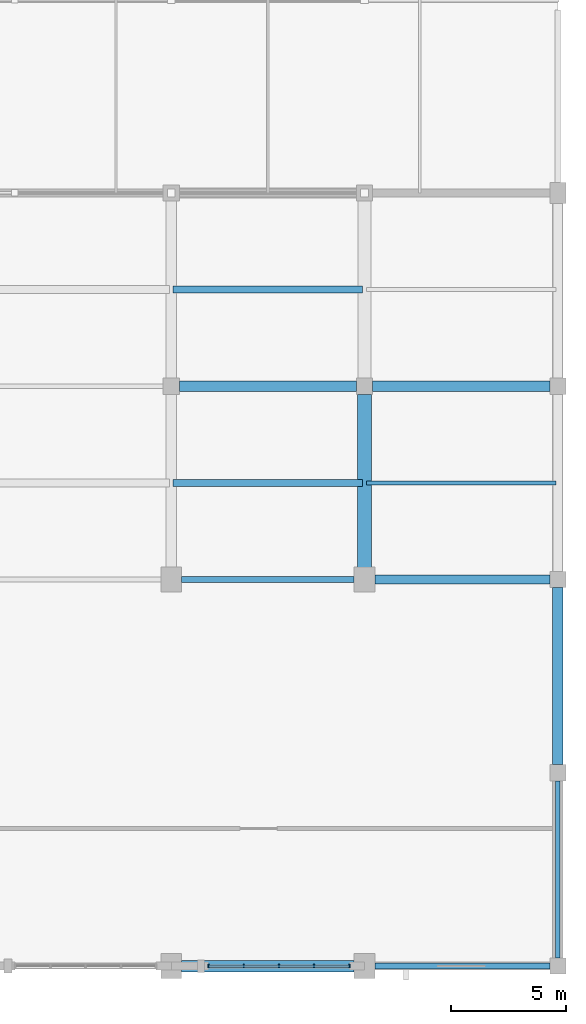
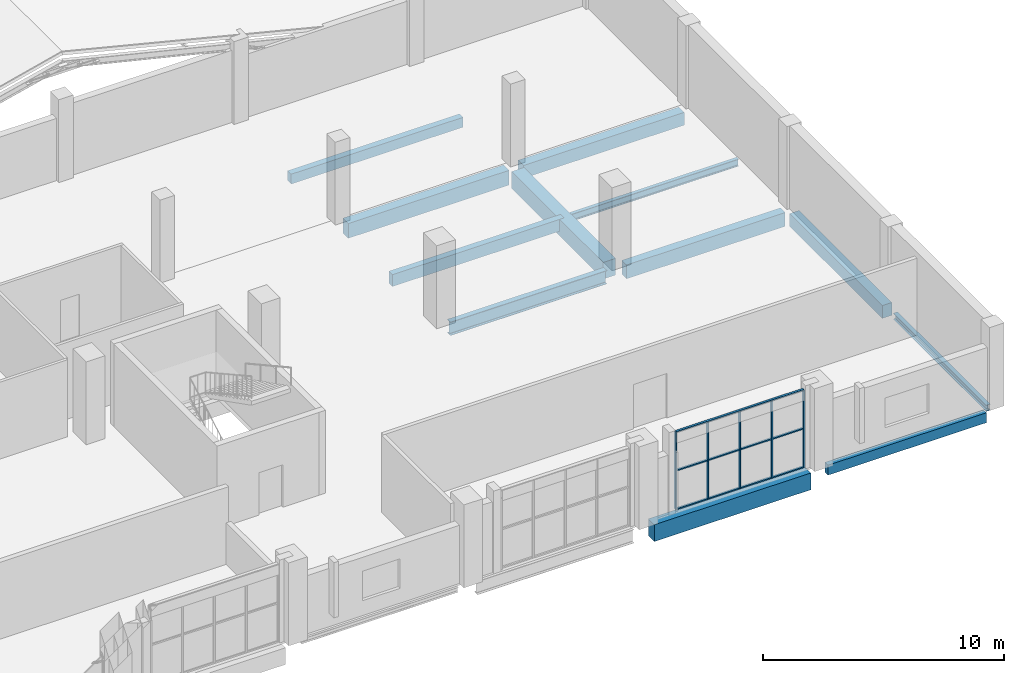
# One storey, part 35 of 64: 12 beams, 8 members, 1 element without a shape of its own.
"""IFC4 building model written with IfcOpenShell, lengths in metres."""

import ifcopenshell
import ifcopenshell.guid

model = None  # the IFC model being written
_history = None  # IfcOwnerHistory: only IFC2X3 demands one
_inside = {}  # id of a spatial element -> (the spatial element, [elements in it])
_under = {}  # id of a project, library or spatial element -> (it, [spatial elements below it])
_declared = {}  # id of a project -> (the project, [libraries it declares])
_typed = {}  # id of a type object -> (the type object, [elements of that type])
_made_of = {}  # id of a material, layer set ... -> (it, [elements and type objects made of it])


def new_model(schema):
    """Start an empty IFC model of exactly this schema.

    Asked for "IFC4X3", IfcOpenShell would pick the latest addendum, in which some entities
    have other attributes; the version numbers below select the first issue.
    IFC2X3 requires an IfcOwnerHistory on every rooted entity: one is made here for all.
    """
    global model, _history
    if schema == "IFC4X3":
        model = ifcopenshell.file(schema_version=(4, 3, 0, 0))
    else:
        model = ifcopenshell.file(schema=schema)
    _inside.clear()
    _under.clear()
    _declared.clear()
    _typed.clear()
    _made_of.clear()
    _history = None
    if model.schema == "IFC2X3":
        org = make("IfcOrganization", Name="unknown")
        user = make(
            "IfcPersonAndOrganization",
            ThePerson=make("IfcPerson", FamilyName="unknown"),
            TheOrganization=org,
        )
        app = make(
            "IfcApplication",
            ApplicationDeveloper=org,
            Version="unknown",
            ApplicationFullName="unknown",
            ApplicationIdentifier="unknown",
        )
        _history = make(
            "IfcOwnerHistory",
            OwningUser=user,
            OwningApplication=app,
            ChangeAction="ADDED",
            CreationDate=0,
        )
    return model


def make(cls, **values):
    """One entity of the class cls with the attributes given. An attribute that is None is left unset."""
    return model.create_entity(
        cls, **{name: value for name, value in values.items() if value is not None}
    )


def rooted(cls, **values):
    """An entity with a GlobalId (a new one), such as an element, a storey or a relation."""
    return make(cls, GlobalId=ifcopenshell.guid.new(), OwnerHistory=_history, **values)


def si_unit(unit_type, name, prefix=None):
    """IfcSIUnit, for example si_unit("LENGTHUNIT", "METRE", prefix="MILLI")."""
    return make("IfcSIUnit", UnitType=unit_type, Prefix=prefix, Name=name)


def derived_unit(unit_type, elements):
    """IfcDerivedUnit: a product of units, each with its exponent."""
    return make(
        "IfcDerivedUnit",
        Elements=[
            make("IfcDerivedUnitElement", Unit=unit, Exponent=power)
            for unit, power in elements
        ],
        UnitType=unit_type,
    )


def assignment(units):
    """IfcUnitAssignment: the units of a project."""
    return None if units is None else make("IfcUnitAssignment", Units=units)


def point(xyz):
    """IfcCartesianPoint."""
    return None if xyz is None else make("IfcCartesianPoint", Coordinates=xyz)


def direction(xyz):
    """IfcDirection."""
    return None if xyz is None else make("IfcDirection", DirectionRatios=xyz)


def frame(location, z_axis=None, x_axis=None):
    """IfcAxis2Placement3D, a coordinate frame: its origin and axes. An axis left out is left unset."""
    return make(
        "IfcAxis2Placement3D",
        Location=point(location),
        Axis=direction(z_axis),
        RefDirection=direction(x_axis),
    )


def frame_2d(location, x_axis=None):
    """IfcAxis2Placement2D, a coordinate frame in the plane: its origin and x axis."""
    return make(
        "IfcAxis2Placement2D", Location=point(location), RefDirection=direction(x_axis)
    )


def origin():
    """The frame at (0, 0, 0) with its axes left unset."""
    return frame((0.0, 0.0, 0.0))


def origin_2d():
    """The frame at (0, 0) in the plane with its x axis left unset."""
    return frame_2d((0.0, 0.0))


def place(relative_to, where):
    """IfcLocalPlacement: puts the frame where relative to a parent placement (None: the world)."""
    return make(
        "IfcLocalPlacement", PlacementRelTo=relative_to, RelativePlacement=where
    )


def context(
    kind, dimensions, precision=None, world=None, true_north=None, identifier=None
):
    """IfcGeometricRepresentationContext, for example the 3D "Model" context."""
    return make(
        "IfcGeometricRepresentationContext",
        ContextIdentifier=identifier,
        ContextType=kind,
        CoordinateSpaceDimension=dimensions,
        Precision=precision,
        WorldCoordinateSystem=world,
        TrueNorth=true_north,
    )


def subcontext(parent, identifier, kind, view, scale=None):
    """IfcGeometricRepresentationSubContext, for example "Body" below "Model"."""
    return make(
        "IfcGeometricRepresentationSubContext",
        ContextIdentifier=identifier,
        ContextType=kind,
        ParentContext=parent,
        TargetScale=scale,
        TargetView=view,
    )


def project(units=None, contexts=None):
    """IfcProject with its units and contexts."""
    return rooted(
        "IfcProject",
        Name="project",
        RepresentationContexts=contexts,
        UnitsInContext=assignment(units),
    )


def spatial(cls, under=None, at=None, **own):
    """A site, building, storey or space (cls), placed at a placement, below another one or the project."""
    s = rooted(cls, ObjectPlacement=at, **own)
    if under is not None:
        _under.setdefault(under.id(), (under, []))[1].append(s)
    return s


def profile(cls, at=None, kind="AREA", **sizes):
    """A parametric profile (cls). Its sizes go by their IFC names, for example OverallWidth=200.0."""
    return make(cls, ProfileType=kind, Position=at, **sizes)


def rectangle(**sizes):
    """IfcRectangleProfileDef."""
    return profile("IfcRectangleProfileDef", **sizes)


def i_section(**sizes):
    """IfcIShapeProfileDef."""
    return profile("IfcIShapeProfileDef", **sizes)


def extrude(swept, where, along, depth):
    """IfcExtrudedAreaSolid: the profile swept, set in the frame where, extruded along a direction by depth."""
    return make(
        "IfcExtrudedAreaSolid",
        SweptArea=swept,
        Position=where,
        ExtrudedDirection=direction(along),
        Depth=depth,
    )


def shape(context_of_items, identifier, shape_type, items):
    """IfcShapeRepresentation: the items that make up one representation, for example the "Body"."""
    return make(
        "IfcShapeRepresentation",
        ContextOfItems=context_of_items,
        RepresentationIdentifier=identifier,
        RepresentationType=shape_type,
        Items=items,
    )


def material(Name=None, Category=None):
    """IfcMaterial."""
    return make("IfcMaterial", Name=Name, Category=Category)


def material_profile(
    of_material, cross_section, Name=None, Category=None, Priority=None
):
    """IfcMaterialProfile: a cross section and its material."""
    return make(
        "IfcMaterialProfile",
        Name=Name,
        Material=of_material,
        Profile=cross_section,
        Priority=Priority,
        Category=Category,
    )


def profile_set(profiles, Name=None, composite=None):
    """IfcMaterialProfileSet."""
    return make(
        "IfcMaterialProfileSet",
        Name=Name,
        MaterialProfiles=profiles,
        CompositeProfile=composite,
    )


def made_of(thing, what):
    """Note that an element or type object is made of a material, layer set ...; save() writes the relation."""
    if what is not None:
        _made_of.setdefault(what.id(), (what, []))[1].append(thing)
    return thing


def type_object(cls, material=None, **own):
    """A type object (cls), such as IfcWallType, which elements share."""
    return made_of(rooted(cls, **own), material)


def element(
    cls,
    number,
    at=None,
    inside=None,
    cuts=None,
    type_object=None,
    material=None,
    context=None,
    identifier="Body",
    shape_type=None,
    held_by="IfcProductDefinitionShape",
    body=None,
    shapes=None,
    **own,
):
    """One element of the class cls, such as IfcWall. Its Tag is "e" and its number.

    at: its placement. inside: the storey or other place that contains it. cuts: it is an
    opening in that element (IfcRelVoidsElement). A single representation is given by context,
    identifier, shape_type and body (its items); several are given by shapes. held_by: the class
    of the entity that holds the representations. save() writes the other relations.
    """
    e = rooted(cls, Tag="e%d" % number, ObjectPlacement=at, **own)
    if body is not None:
        shapes = [shape(context, identifier, shape_type, body)]
    if shapes is not None:
        e.Representation = make(held_by, Representations=shapes)
    if inside is not None:
        _inside.setdefault(inside.id(), (inside, []))[1].append(e)
    if cuts is not None:
        rooted(
            "IfcRelVoidsElement", RelatingBuildingElement=cuts, RelatedOpeningElement=e
        )
    if type_object is not None:
        _typed.setdefault(type_object.id(), (type_object, []))[1].append(e)
    return made_of(e, material)


def aggregate(whole, parts):
    """IfcRelAggregates: a whole, such as a stair, and the parts it consists of."""
    return rooted("IfcRelAggregates", RelatingObject=whole, RelatedObjects=parts)


def save(model, path):
    """Write the relations noted so far, then the file.

    IfcRelAggregates (storeys below a building ...), IfcRelContainedInSpatialStructure (elements
    in a storey), IfcRelDefinesByType, IfcRelAssociatesMaterial and IfcRelDeclares: one each for
    every whole, place, type object, material and project.
    """
    for whole, parts in _under.values():
        aggregate(whole, parts)
    for where, things in _inside.values():
        rooted(
            "IfcRelContainedInSpatialStructure",
            RelatedElements=things,
            RelatingStructure=where,
        )
    for kind, things in _typed.values():
        rooted("IfcRelDefinesByType", RelatedObjects=things, RelatingType=kind)
    for what, things in _made_of.values():
        rooted("IfcRelAssociatesMaterial", RelatedObjects=things, RelatingMaterial=what)
    for by, libraries in _declared.values():
        rooted("IfcRelDeclares", RelatingContext=by, RelatedDefinitions=libraries)
    model.write(path)


model = new_model("IFC4")

# Units and contexts
model_context = context("Model", 3, precision=1e-05, world=origin(), true_north=direction((0.0, 1.0)))
body_context = subcontext(model_context, "Body", "Model", "MODEL_VIEW")
ifc_project = project(units=[si_unit("LENGTHUNIT", "METRE"), si_unit("AREAUNIT", "SQUARE_METRE"), si_unit("VOLUMEUNIT", "CUBIC_METRE"), si_unit("PLANEANGLEUNIT", "RADIAN"), si_unit("MASSUNIT", "GRAM", prefix="KILO"), derived_unit("THERMALTRANSMITTANCEUNIT", [(si_unit("POWERUNIT", "WATT"), 1), (si_unit("LENGTHUNIT", "METRE"), -2), (si_unit("THERMODYNAMICTEMPERATUREUNIT", "KELVIN"), -1)])], contexts=[model_context])

# Site, building, storey
site_placement = place(None, origin())
site = spatial("IfcSite", under=ifc_project, at=site_placement, CompositionType="ELEMENT")
building_placement = place(site_placement, origin())
building = spatial("IfcBuilding", under=site, at=building_placement, Name="Barrovel Congress Hotel", CompositionType="ELEMENT")
storey_placement = place(building_placement, frame((0.0, 0.0, 14.10009765625)))
storey = spatial("IfcBuildingStorey", under=building, at=storey_placement, Name="L03", CompositionType="ELEMENT", Elevation=14.10009765625)

# Beams
ifc_material_1 = material(Name="Concrete C40", Category="concrete")
ifc_material_profile_1 = material_profile(ifc_material_1, rectangle(XDim=0.25, YDim=0.5, at=origin_2d()), Name="RC250x500")
ifc_profile_set_1 = profile_set([ifc_material_profile_1], Name="Concrete C40")
beam_type_1 = type_object("IfcBeamType", Name="BM-RC250x500", PredefinedType="SPANDREL", material=ifc_profile_set_1)
beam_1_placement = place(storey_placement, frame((168.449951171875, 4.199951171875, -0.489990234375), z_axis=(1.0, 0.0, 0.0), x_axis=(0.0, 1.0, 0.0)))
element("IfcBeam", 1, at=beam_1_placement, inside=storey, type_object=beam_type_1, Name="BMX:L03:4.2:168.0-176.4", PredefinedType="SPANDREL", context=body_context, shape_type="SweptSolid", body=[
    extrude(rectangle(XDim=0.25, YDim=0.5, at=origin_2d()), origin(), (0.0, 0.0, 1.0), 7.60009765625),
])
ifc_material_profile_2 = material_profile(ifc_material_1, rectangle(XDim=0.300048828125, YDim=0.5, at=origin_2d()), Name="RC300x500")
ifc_profile_set_2 = profile_set([ifc_material_profile_2], Name="Concrete C40")
beam_type_2 = type_object("IfcBeamType", Name="BM-RC300x500", PredefinedType="JOIST", material=ifc_profile_set_2)
beam_2_placement = place(storey_placement, frame((159.679931640625, 33.60009765625, -0.489990234375), z_axis=(1.0, 0.0, 0.0), x_axis=(0.0, 1.0, 0.0)))
element("IfcBeam", 2, at=beam_2_placement, inside=storey, type_object=beam_type_2, Name="JST:L03:159.6:33.6", PredefinedType="JOIST", context=body_context, shape_type="SweptSolid", body=[
    extrude(rectangle(XDim=0.300048828125, YDim=0.5, at=origin_2d()), origin(), (0.0, 0.0, 1.0), 8.239990234375),
])
ifc_material_profile_3 = material_profile(ifc_material_1, rectangle(XDim=0.300048828125, YDim=0.60009765625, at=origin_2d()), Name="RC300x600")
ifc_profile_set_3 = profile_set([ifc_material_profile_3], Name="Concrete C40")
beam_type_3 = type_object("IfcBeamType", Name="BM-RC300x600", PredefinedType="JOIST", material=ifc_profile_set_3)
beam_3_placement = place(storey_placement, frame((159.679931640625, 25.199951171875, -0.5400390625), z_axis=(1.0, 0.0, 0.0), x_axis=(0.0, 1.0, 0.0)))
element("IfcBeam", 3, at=beam_3_placement, inside=storey, type_object=beam_type_3, Name="JST:L03:159.6:25.2", PredefinedType="JOIST", context=body_context, shape_type="SweptSolid", body=[
    extrude(rectangle(XDim=0.300048828125, YDim=0.60009765625, at=origin_2d()), origin(), (0.0, 0.0, 1.0), 8.239990234375),
])
ifc_material_profile_4 = material_profile(ifc_material_1, rectangle(XDim=0.39990234375, YDim=0.699951171875, at=origin_2d()), Name="RC400x700")
ifc_profile_set_4 = profile_set([ifc_material_profile_4], Name="Concrete C40")
beam_type_4 = type_object("IfcBeamType", Name="BM-RC400x700", PredefinedType="BEAM", material=ifc_profile_set_4)
beam_4_placement = place(storey_placement, frame((168.449951171875, 21.0, -0.590087890625), z_axis=(1.0, 0.0, 0.0), x_axis=(0.0, 1.0, 0.0)))
element("IfcBeam", 4, at=beam_4_placement, inside=storey, type_object=beam_type_4, Name="BMX:L03:21.0:168.0-176.4", PredefinedType="BEAM", context=body_context, shape_type="SweptSolid", body=[
    extrude(rectangle(XDim=0.39990234375, YDim=0.699951171875, at=origin_2d()), origin(), (0.0, 0.0, 1.0), 7.60009765625),
])
ifc_material_profile_5 = material_profile(ifc_material_1, rectangle(XDim=0.449951171875, YDim=0.64990234375, at=origin_2d()), Name="RC450x650")
ifc_profile_set_5 = profile_set([ifc_material_profile_5], Name="Concrete C40")
beam_type_5 = type_object("IfcBeamType", Name="BM-RC450x650", PredefinedType="BEAM", material=ifc_profile_set_5)
for number, where, z_axis, x_axis, name in (
    (5, (168.35009765625, 29.39990234375, -0.565185546875), (1.0, 0.0, 0.0), (0.0, 1.0, 0.0), "BMX:L03:29.4:168.0-176.4"),
    (6, (176.39990234375, 12.949951171875, -0.565185546875), (0.0, 1.0, 0.0), (-1.0, 0.0, 0.0), "BMY:L03:176.4:12.6-21.0"),
):
    element("IfcBeam", number, at=place(storey_placement, frame(where, z_axis=z_axis, x_axis=x_axis)), inside=storey, type_object=beam_type_5, Name=name, PredefinedType="BEAM", context=body_context, shape_type="SweptSolid", body=[
        extrude(rectangle(XDim=0.449951171875, YDim=0.64990234375, at=origin_2d()), origin(), (0.0, 0.0, 1.0), 7.699951171875),
    ])
ifc_material_profile_6 = material_profile(ifc_material_1, rectangle(XDim=0.449951171875, YDim=0.75, at=origin_2d()), Name="RC450x750")
ifc_profile_set_6 = profile_set([ifc_material_profile_6], Name="Concrete C40")
beam_type_6 = type_object("IfcBeamType", Name="BM-RC450x750", PredefinedType="BEAM", material=ifc_profile_set_6)
beam_5_placement = place(storey_placement, frame((159.949951171875, 29.39990234375, -0.614990234375), z_axis=(1.0, 0.0, 0.0), x_axis=(0.0, 1.0, 0.0)))
element("IfcBeam", 7, at=beam_5_placement, inside=storey, type_object=beam_type_6, Name="BMX:L03:29.4:159.6-168.0", PredefinedType="BEAM", context=body_context, shape_type="SweptSolid", body=[
    extrude(rectangle(XDim=0.449951171875, YDim=0.75, at=origin_2d()), origin(), (0.0, 0.0, 1.0), 7.699951171875),
])
ifc_material_profile_7 = material_profile(ifc_material_1, rectangle(XDim=0.5, YDim=0.85009765625, at=origin_2d()), Name="RC500x850")
ifc_profile_set_7 = profile_set([ifc_material_profile_7], Name="Concrete C40")
beam_type_7 = type_object("IfcBeamType", Name="BM-RC500x850", PredefinedType="BEAM", material=ifc_profile_set_7)
beam_6_placement = place(storey_placement, frame((160.050048828125, 4.199951171875, -0.6650390625), z_axis=(1.0, 0.0, 0.0), x_axis=(0.0, 1.0, 0.0)))
element("IfcBeam", 8, at=beam_6_placement, inside=storey, type_object=beam_type_7, Name="BMX:L03:4.2:159.6-168.0", PredefinedType="BEAM", context=body_context, shape_type="SweptSolid", body=[
    extrude(rectangle(XDim=0.5, YDim=0.85009765625, at=origin_2d()), origin(), (0.0, 0.0, 1.0), 7.5),
])
ifc_material_profile_8 = material_profile(ifc_material_1, rectangle(XDim=0.60009765625, YDim=0.85009765625, at=origin_2d()), Name="RC600x850")
ifc_profile_set_8 = profile_set([ifc_material_profile_8], Name="Concrete C40")
beam_type_8 = type_object("IfcBeamType", Name="BM-RC600x850", PredefinedType="BEAM", material=ifc_profile_set_8)
beam_7_placement = place(storey_placement, frame((168.0, 21.449951171875, -0.6650390625), z_axis=(0.0, 1.0, 0.0), x_axis=(-1.0, 0.0, 0.0)))
element("IfcBeam", 9, at=beam_7_placement, inside=storey, type_object=beam_type_8, Name="BMY:L03:168.0:21.0-29.4", PredefinedType="BEAM", context=body_context, shape_type="SweptSolid", body=[
    extrude(rectangle(XDim=0.60009765625, YDim=0.85009765625, at=origin_2d()), origin(), (0.0, 0.0, 1.0), 7.60009765625),
])

# Curtain wall, members
ifc_material_2 = material(Name="Anodised Aluminium Alloy 6063-T6", Category="aluminium")
curtain_wall_type = type_object("IfcCurtainWallType", Name="CW-ST-7200x3600", PredefinedType="USERDEFINED", material=ifc_material_2)
curtain_wall_placement = place(storey_placement, origin())
curtain_wall = element("IfcCurtainWall", 10, at=curtain_wall_placement, inside=storey, type_object=curtain_wall_type, Name="CW:L03:S:19", ObjectType="STICK CURTAIN WALL", PredefinedType="USERDEFINED")
ifc_material_profile_9 = material_profile(ifc_material_2, rectangle(XDim=0.06005859375, YDim=0.139892578125, at=origin_2d()), Name="AL-M60x140")
ifc_profile_set_9 = profile_set([ifc_material_profile_9], Name="Anodised Aluminium Alloy 6063-T6")
member_type_1 = type_object("IfcMemberType", Name="CWM-AL-M60x140", PredefinedType="MULLION", material=ifc_profile_set_9)
member_1_placement = place(storey_placement, frame((161.219970703125, 4.199951171875, 0.0), z_axis=(0.0, 0.0, 1.0), x_axis=(1.0, 0.0, 0.0)))
member_1 = element("IfcMember", 11, at=member_1_placement, type_object=member_type_1, Name="CW:L03:S:19:M0", PredefinedType="MULLION", context=body_context, shape_type="SweptSolid", body=[
    extrude(rectangle(XDim=0.06005859375, YDim=0.139892578125, at=origin_2d()), origin(), (0.0, 0.0, 1.0), 3.919921875),
])
member_2_placement = place(storey_placement, frame((162.75, 4.199951171875, 0.0), z_axis=(0.0, 0.0, 1.0), x_axis=(1.0, 0.0, 0.0)))
member_2 = element("IfcMember", 12, at=member_2_placement, type_object=member_type_1, Name="CW:L03:S:19:M1", PredefinedType="MULLION", context=body_context, shape_type="SweptSolid", body=[
    extrude(rectangle(XDim=0.06005859375, YDim=0.139892578125, at=origin_2d()), origin(), (0.0, 0.0, 1.0), 3.919921875),
])
member_3_placement = place(storey_placement, frame((164.280029296875, 4.199951171875, 0.0), z_axis=(0.0, 0.0, 1.0), x_axis=(1.0, 0.0, 0.0)))
member_3 = element("IfcMember", 13, at=member_3_placement, type_object=member_type_1, Name="CW:L03:S:19:M2", PredefinedType="MULLION", context=body_context, shape_type="SweptSolid", body=[
    extrude(rectangle(XDim=0.06005859375, YDim=0.139892578125, at=origin_2d()), origin(), (0.0, 0.0, 1.0), 3.919921875),
])
member_4_placement = place(storey_placement, frame((165.81005859375, 4.199951171875, 0.0), z_axis=(0.0, 0.0, 1.0), x_axis=(1.0, 0.0, 0.0)))
member_4 = element("IfcMember", 14, at=member_4_placement, type_object=member_type_1, Name="CW:L03:S:19:M3", PredefinedType="MULLION", context=body_context, shape_type="SweptSolid", body=[
    extrude(rectangle(XDim=0.06005859375, YDim=0.139892578125, at=origin_2d()), origin(), (0.0, 0.0, 1.0), 3.919921875),
])
member_5_placement = place(storey_placement, frame((167.340087890625, 4.199951171875, 0.0), z_axis=(0.0, 0.0, 1.0), x_axis=(1.0, 0.0, 0.0)))
member_5 = element("IfcMember", 15, at=member_5_placement, type_object=member_type_1, Name="CW:L03:S:19:M4", PredefinedType="MULLION", context=body_context, shape_type="SweptSolid", body=[
    extrude(rectangle(XDim=0.06005859375, YDim=0.139892578125, at=origin_2d()), origin(), (0.0, 0.0, 1.0), 3.919921875),
])
ifc_material_profile_10 = material_profile(ifc_material_2, rectangle(XDim=0.10498046875, YDim=0.06005859375, at=origin_2d()), Name="AL-T60x105")
ifc_profile_set_10 = profile_set([ifc_material_profile_10], Name="Anodised Aluminium Alloy 6063-T6")
member_type_2 = type_object("IfcMemberType", Name="CWT-AL-T60x105", PredefinedType="USERDEFINED", material=ifc_profile_set_10)
member_6_placement = place(storey_placement, frame((161.219970703125, 4.199951171875, 0.0), z_axis=(1.0, 0.0, 0.0), x_axis=(0.0, 1.0, 0.0)))
member_6 = element("IfcMember", 16, at=member_6_placement, type_object=member_type_2, Name="CW:L03:S:19:T0", ObjectType="TRANSOM", PredefinedType="USERDEFINED", context=body_context, shape_type="SweptSolid", body=[
    extrude(rectangle(XDim=0.10498046875, YDim=0.06005859375, at=origin_2d()), origin(), (0.0, 0.0, 1.0), 6.1201171875),
])
member_7_placement = place(storey_placement, frame((161.219970703125, 4.199951171875, 1.9599609375), z_axis=(1.0, 0.0, 0.0), x_axis=(0.0, 1.0, 0.0)))
member_7 = element("IfcMember", 17, at=member_7_placement, type_object=member_type_2, Name="CW:L03:S:19:T1", ObjectType="TRANSOM", PredefinedType="USERDEFINED", context=body_context, shape_type="SweptSolid", body=[
    extrude(rectangle(XDim=0.10498046875, YDim=0.06005859375, at=origin_2d()), origin(), (0.0, 0.0, 1.0), 6.1201171875),
])
member_8_placement = place(storey_placement, frame((161.219970703125, 4.199951171875, 3.919921875), z_axis=(1.0, 0.0, 0.0), x_axis=(0.0, 1.0, 0.0)))
member_8 = element("IfcMember", 18, at=member_8_placement, type_object=member_type_2, Name="CW:L03:S:19:T2", ObjectType="TRANSOM", PredefinedType="USERDEFINED", context=body_context, shape_type="SweptSolid", body=[
    extrude(rectangle(XDim=0.10498046875, YDim=0.06005859375, at=origin_2d()), origin(), (0.0, 0.0, 1.0), 6.1201171875),
])
aggregate(curtain_wall, [member_1, member_2, member_3, member_4, member_5, member_6, member_7, member_8])

# Beams
ifc_material_3 = material(Name="Steel ASTM A992 Grade 50", Category="steel")
ifc_material_profile_11 = material_profile(ifc_material_3, i_section(OverallWidth=0.205078125, OverallDepth=0.31005859375, WebThickness=0.009521484375, FlangeThickness=0.016357421875, FilletRadius=0.012939453125, at=origin_2d()), Name="W310x74")
ifc_profile_set_11 = profile_set([ifc_material_profile_11], Name="Steel ASTM A992 Grade 50")
beam_type_9 = type_object("IfcBeamType", Name="SBM-W310x74", PredefinedType="SPANDREL", material=ifc_profile_set_11)
beam_8_placement = place(storey_placement, frame((176.39990234375, 4.550048828125, -0.39501953125), z_axis=(0.0, 1.0, 0.0), x_axis=(-1.0, 0.0, 0.0)))
element("IfcBeam", 19, at=beam_8_placement, inside=storey, type_object=beam_type_9, Name="BMY:L03:176.4:4.2-12.6", PredefinedType="SPANDREL", context=body_context, shape_type="SweptSolid", body=[
    extrude(i_section(OverallWidth=0.205078125, OverallDepth=0.31005859375, WebThickness=0.009521484375, FlangeThickness=0.016357421875, FilletRadius=0.012939453125, at=origin_2d()), origin(), (0.0, 0.0, 1.0), 7.699951171875),
])
ifc_material_profile_12 = material_profile(ifc_material_3, i_section(OverallWidth=0.172119140625, OverallDepth=0.35791015625, WebThickness=0.0078125, FlangeThickness=0.01318359375, FilletRadius=0.011962890625, at=origin_2d()), Name="W360x57")
ifc_profile_set_12 = profile_set([ifc_material_profile_12], Name="Steel ASTM A992 Grade 50")
beam_type_10 = type_object("IfcBeamType", Name="SBM-W360x57", PredefinedType="JOIST", material=ifc_profile_set_12)
beam_9_placement = place(storey_placement, frame((168.080078125, 25.199951171875, -0.419189453125), z_axis=(1.0, 0.0, 0.0), x_axis=(0.0, 1.0, 0.0)))
element("IfcBeam", 20, at=beam_9_placement, inside=storey, type_object=beam_type_10, Name="JST:L03:168.0:25.2", PredefinedType="JOIST", context=body_context, shape_type="SweptSolid", body=[
    extrude(i_section(OverallWidth=0.172119140625, OverallDepth=0.35791015625, WebThickness=0.0078125, FlangeThickness=0.01318359375, FilletRadius=0.011962890625, at=origin_2d()), origin(), (0.0, 0.0, 1.0), 8.239990234375),
])
ifc_material_profile_13 = material_profile(ifc_material_3, i_section(OverallWidth=0.25390625, OverallDepth=0.68408203125, WebThickness=0.012451171875, FlangeThickness=0.01904296875, FilletRadius=0.014892578125, at=origin_2d()), Name="W690x140")
ifc_profile_set_13 = profile_set([ifc_material_profile_13], Name="Steel ASTM A992 Grade 50")
beam_type_11 = type_object("IfcBeamType", Name="SBM-W690x140", PredefinedType="BEAM", material=ifc_profile_set_13)
beam_10_placement = place(storey_placement, frame((160.050048828125, 21.0, -0.58203125), z_axis=(1.0, 0.0, 0.0), x_axis=(0.0, 1.0, 0.0)))
element("IfcBeam", 21, at=beam_10_placement, inside=storey, type_object=beam_type_11, Name="BMX:L03:21.0:159.6-168.0", PredefinedType="BEAM", context=body_context, shape_type="SweptSolid", body=[
    extrude(i_section(OverallWidth=0.25390625, OverallDepth=0.68408203125, WebThickness=0.012451171875, FlangeThickness=0.01904296875, FilletRadius=0.014892578125, at=origin_2d()), origin(), (0.0, 0.0, 1.0), 7.5),
])

save(model, "model.ifc")
